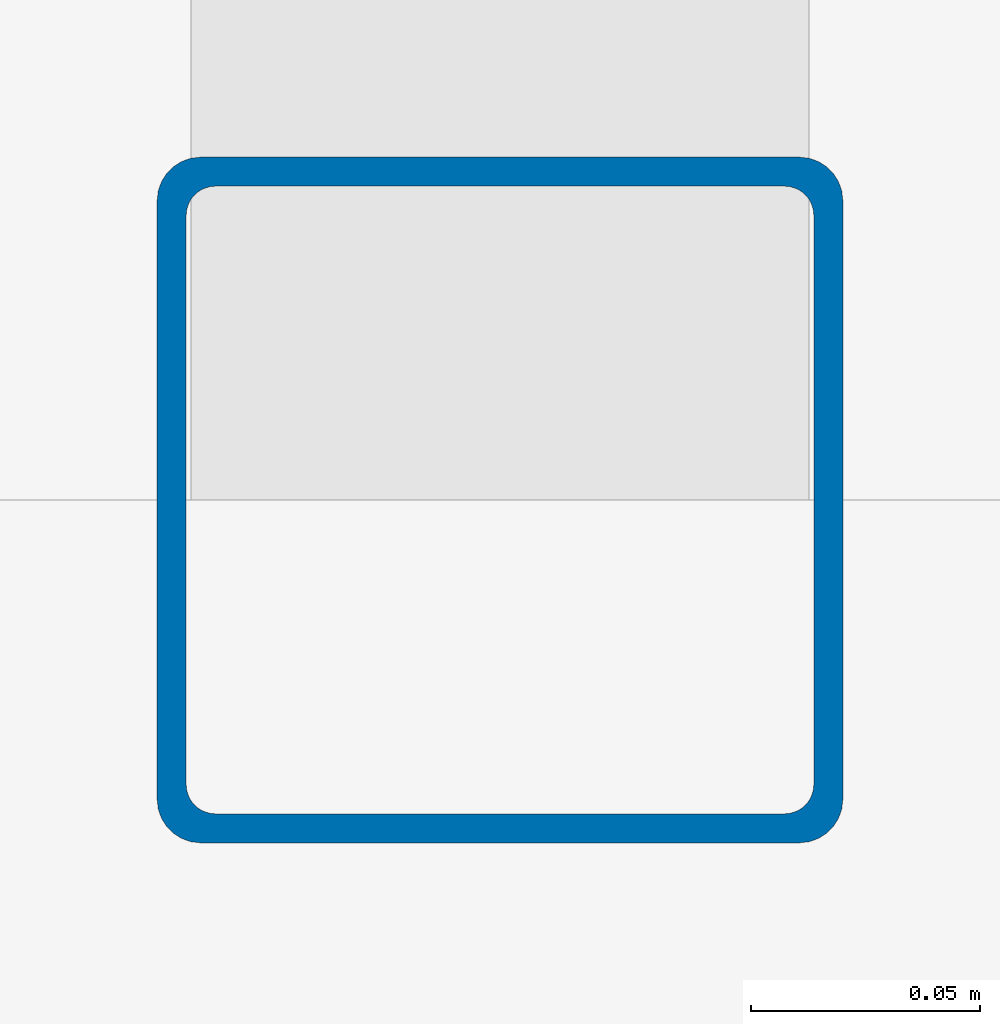
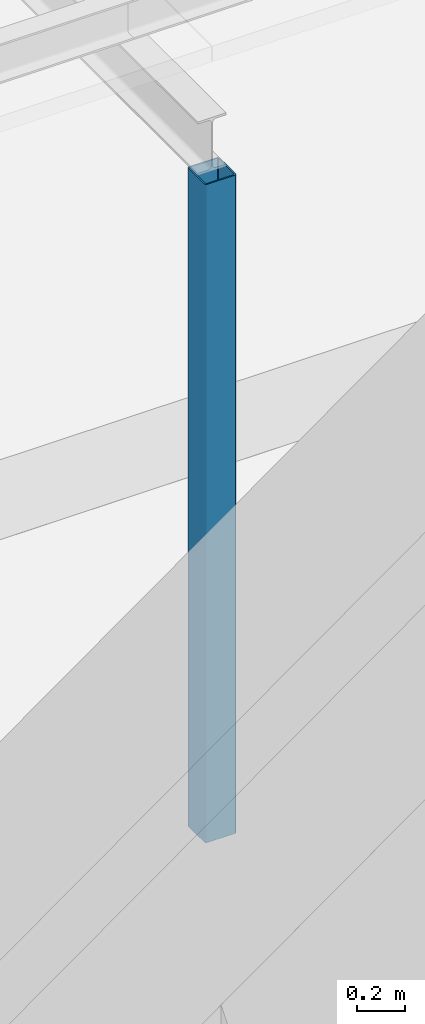
# One storey, part 6 of 144: 1 column.
"""IFC4 building model written with IfcOpenShell, lengths in metres."""

from ifc_helpers import new_model, si_unit, direction, frame, origin, origin_2d, place, context, subcontext, project, spatial, hollow_rectangle, extrude, material, material_profile, profile_set, type_object, element, save


model = new_model("IFC4")

# Units and contexts
model_context = context("Model", 3, precision=1e-05, world=origin(), true_north=direction((0.0, 1.0)))
body_context = subcontext(model_context, "Body", "Model", "MODEL_VIEW")
ifc_project = project(units=[si_unit("LENGTHUNIT", "METRE"), si_unit("AREAUNIT", "SQUARE_METRE"), si_unit("VOLUMEUNIT", "CUBIC_METRE"), si_unit("PLANEANGLEUNIT", "RADIAN"), si_unit("MASSUNIT", "GRAM", prefix="KILO")], contexts=[model_context])

# Site, building, storey
site_placement = place(None, origin())
site = spatial("IfcSite", under=ifc_project, at=site_placement, CompositionType="ELEMENT")
building_placement = place(site_placement, origin())
building = spatial("IfcBuilding", under=site, at=building_placement, Name="Lantern Court Media Centre", CompositionType="ELEMENT")
storey_placement = place(building_placement, origin())
storey = spatial("IfcBuildingStorey", under=building, at=storey_placement, Name="L00", CompositionType="ELEMENT", Elevation=0.0)

# Column
ifc_material = material(Name="Steel S355J2 (EN 10025-2)", Category="steel")
ifc_material_profile = material_profile(ifc_material, hollow_rectangle(XDim=0.14990234375, YDim=0.14990234375, WallThickness=0.00634765625, InnerFilletRadius=0.00634765625, OuterFilletRadius=0.009521484375, at=origin_2d()), Name="Cloister canopy post SHS 150x6.3")
ifc_profile_set = profile_set([ifc_material_profile], Name="Steel S355J2 (EN 10025-2)")
column_type = type_object("IfcColumnType", Name="Cloister canopy post SHS 150x6.3", PredefinedType="COLUMN", material=ifc_profile_set)
column_placement = place(storey_placement, frame((24.0, 41.5, 0.0), z_axis=(0.0, 0.0, 1.0), x_axis=(1.0, 0.0, 0.0)))
element("IfcColumn", 1, at=column_placement, inside=storey, type_object=column_type, Name="Cloister post 1-4-1", PredefinedType="COLUMN", context=body_context, shape_type="SweptSolid", body=[
    extrude(hollow_rectangle(XDim=0.14990234375, YDim=0.14990234375, WallThickness=0.00634765625, InnerFilletRadius=0.00634765625, OuterFilletRadius=0.009521484375, at=origin_2d()), origin(), (0.0, 0.0, 1.0), 3.330078125),
])

save(model, "model.ifc")
